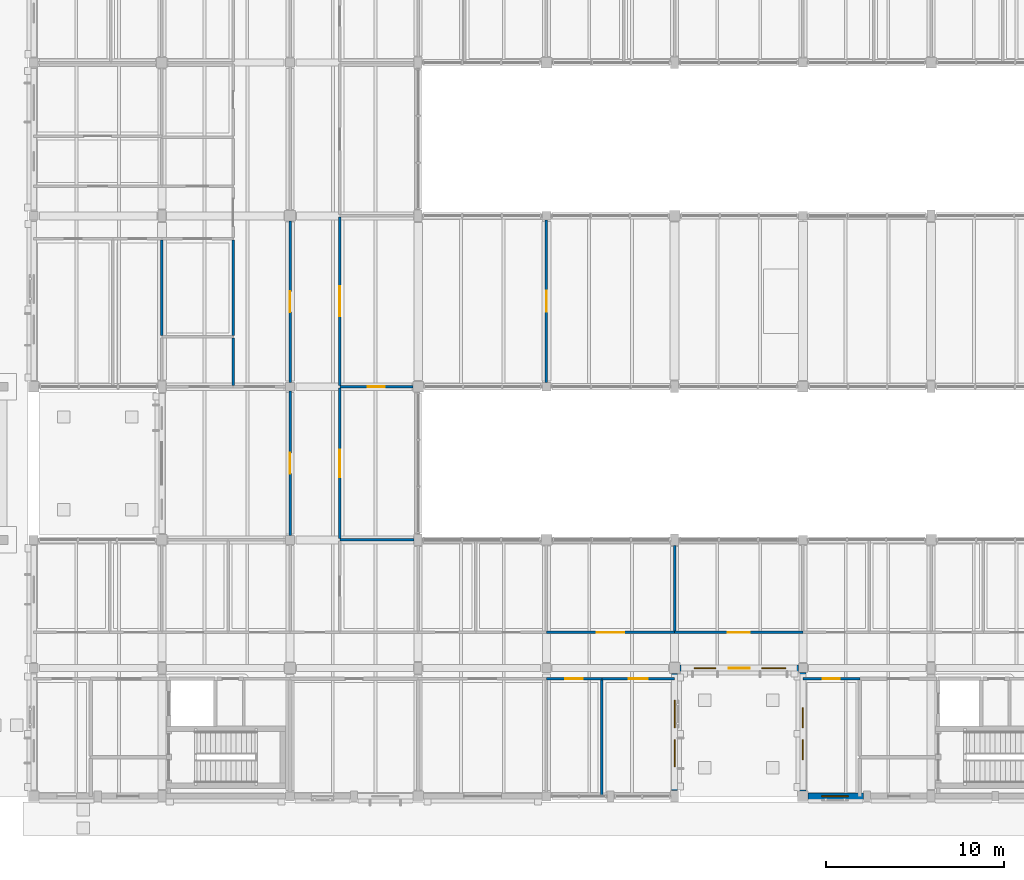
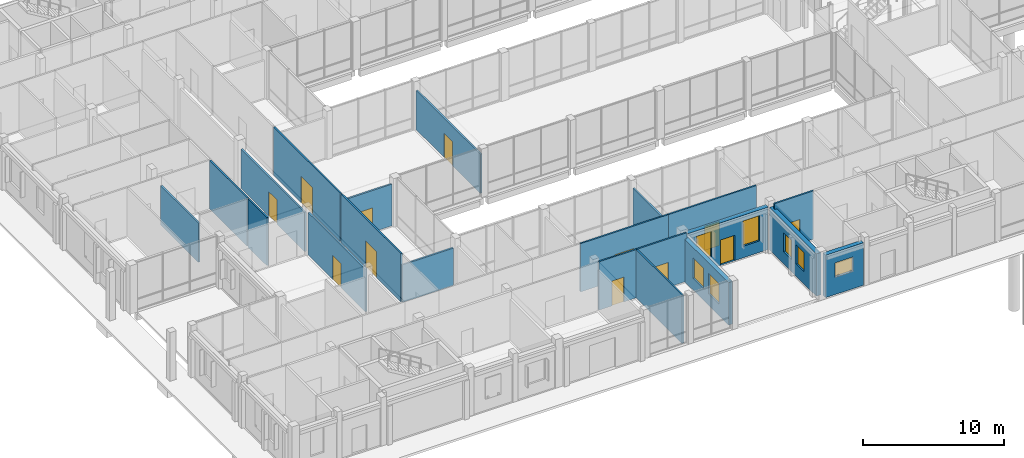
# One storey, part 71 of 104: 21 walls, 12 doors, 7 windows, 19 openings.
"""IFC4 building model written with IfcOpenShell, lengths in metres."""

from ifc_helpers import new_model, si_unit, direction, frame, frame_2d, origin, place, context, subcontext, project, spatial, rectangle, extrude, material, layer, layer_set, type_object, element, fill, save


model = new_model("IFC4")

# Units and contexts
model_context = context("Model", 3, precision=1e-05, world=origin(), true_north=direction((0.0, 1.0)))
body_context = subcontext(model_context, "Body", "Model", "MODEL_VIEW")
ifc_project = project(units=[si_unit("LENGTHUNIT", "METRE"), si_unit("AREAUNIT", "SQUARE_METRE"), si_unit("VOLUMEUNIT", "CUBIC_METRE"), si_unit("PLANEANGLEUNIT", "RADIAN"), si_unit("MASSUNIT", "GRAM", prefix="KILO")], contexts=[model_context])

# Site, building, storey
site_placement = place(None, origin())
site = spatial("IfcSite", under=ifc_project, at=site_placement, CompositionType="ELEMENT")
building_placement = place(site_placement, origin())
building = spatial("IfcBuilding", under=site, at=building_placement, Name="Hawrajan Terrace Health Centre", CompositionType="ELEMENT")
storey_placement = place(building_placement, origin())
storey = spatial("IfcBuildingStorey", under=building, at=storey_placement, Name="L00", CompositionType="ELEMENT", Elevation=0.0)

# Walls
ifc_material_1 = material(Name="Gypsum board on acoustic stud framing")
ifc_layer_1 = layer(ifc_material_1, 0.139892578125)
ifc_layer_set_1 = layer_set([ifc_layer_1], Name="Gypsum board on acoustic stud framing")
wall_type_1 = type_object("IfcWallType", Name="ClinicalAcousticWall_140", PredefinedType="PARTITIONING", material=ifc_layer_set_1)
wall_1_placement = place(storey_placement, frame((11.800048828125, 30.074951171875, 0.0), z_axis=(0.0, 0.0, 1.0), x_axis=(0.0, 1.0, 0.0)))
element("IfcWall", 1, at=wall_1_placement, inside=storey, type_object=wall_type_1, Name="Interior wall IW-L00-0226", PredefinedType="PARTITIONING", context=body_context, shape_type="SweptSolid", body=[
    extrude(rectangle(XDim=5.35498046875, YDim=0.139892578125, at=frame_2d((2.677490234375, 0.0))), origin(), (0.0, 0.0, 1.0), 3.39990234375),
])
wall_2_placement = place(storey_placement, frame((15.800048828125, 27.27001953125, 0.0), z_axis=(0.0, 0.0, 1.0), x_axis=(0.0, 1.0, 0.0)))
element("IfcWall", 2, at=wall_2_placement, inside=storey, type_object=wall_type_1, Name="Interior wall IW-L00-0241", PredefinedType="PARTITIONING", context=body_context, shape_type="SweptSolid", body=[
    extrude(rectangle(XDim=2.6650390625, YDim=0.139892578125, at=frame_2d((1.33251953125, 0.0))), origin(), (0.0, 0.0, 1.0), 4.179931640625),
])
wall_3_placement = place(storey_placement, frame((15.800048828125, 30.074951171875, 0.0), z_axis=(0.0, 0.0, 1.0), x_axis=(0.0, 1.0, 0.0)))
element("IfcWall", 3, at=wall_3_placement, inside=storey, type_object=wall_type_1, Name="Interior wall IW-L00-0243", PredefinedType="PARTITIONING", context=body_context, shape_type="SweptSolid", body=[
    extrude(rectangle(XDim=5.35498046875, YDim=0.139892578125, at=frame_2d((2.677490234375, 0.0))), origin(), (0.0, 0.0, 1.0), 4.179931640625),
])

# Wall, opening, door
wall_4_placement = place(storey_placement, frame((19.0, 18.85009765625, 0.0), z_axis=(0.0, 0.0, 1.0), x_axis=(0.0, 1.0, 0.0)))
wall_4 = element("IfcWall", 4, at=wall_4_placement, inside=storey, type_object=wall_type_1, Name="Interior wall IW-L00-0252", PredefinedType="PARTITIONING", context=body_context, shape_type="SweptSolid", body=[
    extrude(rectangle(XDim=8.099853515625, YDim=0.139892578125, at=frame_2d((4.0498046875, 0.0))), origin(), (0.0, 0.0, 1.0), 3.679931640625),
])
opening_1_placement = place(wall_4_placement, frame((3.469970703125, 0.0, 0.0)))
opening_1 = element("IfcOpeningElement", 5, at=opening_1_placement, cuts=wall_4, Name="Opening D-L00-126", PredefinedType="OPENING", context=body_context, shape_type="SweptSolid", body=[
    extrude(rectangle(XDim=1.159912109375, YDim=2.10009765625, at=frame_2d((0.580078125, 1.050048828125))), frame((0.0, 0.079833984375, 0.0), z_axis=(0.0, -1.0, 0.0), x_axis=(1.0, 0.0, 0.0)), (0.0, 0.0, 1.0), 0.159912109375),
])
ifc_material_2 = material(Name="Hardwood acoustic clinical door leaf and frame", Category="wood")
door_type_1 = type_object("IfcDoorType", Name="ConsultDoor_1160x2100", OperationType="NOTDEFINED", PredefinedType="DOOR", material=ifc_material_2)
door_1_placement = place(opening_1_placement, origin())
door_1 = element("IfcDoor", 6, at=door_1_placement, inside=storey, type_object=door_type_1, Name="Interior door D-L00-126", OperationType="SINGLE_SWING_RIGHT", OverallHeight=2.10009765625, OverallWidth=1.159912109375, PredefinedType="DOOR", context=body_context, shape_type="SweptSolid", body=[
    extrude(rectangle(XDim=1.159912109375, YDim=2.10009765625, at=frame_2d((0.580078125, 1.050048828125))), frame((0.0, 0.02490234375, 0.0), z_axis=(0.0, -1.0, 0.0), x_axis=(1.0, 0.0, 0.0)), (0.0, 0.0, 1.0), 0.050048828125),
])
fill(opening_1, door_1)

wall_5_placement = place(storey_placement, frame((19.0, 27.449951171875, 0.0), z_axis=(0.0, 0.0, 1.0), x_axis=(0.0, 1.0, 0.0)))
wall_5 = element("IfcWall", 7, at=wall_5_placement, inside=storey, type_object=wall_type_1, Name="Interior wall IW-L00-0253", PredefinedType="PARTITIONING", context=body_context, shape_type="SweptSolid", body=[
    extrude(rectangle(XDim=9.050048828125, YDim=0.139892578125, at=frame_2d((4.52490234375, 0.0))), origin(), (0.0, 0.0, 1.0), 3.39990234375),
])
opening_2_placement = place(wall_5_placement, frame((3.945068359375, 0.0, 0.0)))
opening_2 = element("IfcOpeningElement", 8, at=opening_2_placement, cuts=wall_5, Name="Opening D-L00-113", PredefinedType="OPENING", context=body_context, shape_type="SweptSolid", body=[
    extrude(rectangle(XDim=1.159912109375, YDim=2.10009765625, at=frame_2d((0.580078125, 1.050048828125))), frame((0.0, 0.079833984375, 0.0), z_axis=(0.0, -1.0, 0.0), x_axis=(1.0, 0.0, 0.0)), (0.0, 0.0, 1.0), 0.159912109375),
])
door_2_placement = place(opening_2_placement, origin())
door_2 = element("IfcDoor", 9, at=door_2_placement, inside=storey, type_object=door_type_1, Name="Interior door D-L00-113", OperationType="SINGLE_SWING_LEFT", OverallHeight=2.10009765625, OverallWidth=1.159912109375, PredefinedType="DOOR", context=body_context, shape_type="SweptSolid", body=[
    extrude(rectangle(XDim=1.159912109375, YDim=2.10009765625, at=frame_2d((0.580078125, 1.050048828125))), frame((0.0, 0.02490234375, 0.0), z_axis=(0.0, -1.0, 0.0), x_axis=(1.0, 0.0, 0.0)), (0.0, 0.0, 1.0), 0.050048828125),
])
fill(opening_2, door_2)

wall_6_placement = place(storey_placement, frame((21.800048828125, 18.669921875, 0.0), z_axis=(0.0, 0.0, 1.0), x_axis=(0.0, 1.0, 0.0)))
wall_6 = element("IfcWall", 10, at=wall_6_placement, inside=storey, type_object=wall_type_1, Name="Interior wall IW-L00-0260", PredefinedType="PARTITIONING", context=body_context, shape_type="SweptSolid", body=[
    extrude(rectangle(XDim=8.4599609375, YDim=0.139892578125, at=frame_2d((4.22998046875, 0.0))), origin(), (0.0, 0.0, 1.0), 4.179931640625),
])
opening_3_placement = place(wall_6_placement, frame((3.4599609375, 0.0, 0.0)))
opening_3 = element("IfcOpeningElement", 11, at=opening_3_placement, cuts=wall_6, Name="Opening D-L00-128", PredefinedType="OPENING", context=body_context, shape_type="SweptSolid", body=[
    extrude(rectangle(XDim=1.5400390625, YDim=2.25, at=frame_2d((0.77001953125, 1.125))), frame((0.0, 0.079833984375, 0.0), z_axis=(0.0, -1.0, 0.0), x_axis=(1.0, 0.0, 0.0)), (0.0, 0.0, 1.0), 0.159912109375),
])
door_type_2 = type_object("IfcDoorType", Name="RecoveryBayDoor_1540x2250", OperationType="DOUBLE_DOOR_SINGLE_SWING", PredefinedType="DOOR", material=ifc_material_2)
door_3_placement = place(opening_3_placement, origin())
door_3 = element("IfcDoor", 12, at=door_3_placement, inside=storey, type_object=door_type_2, Name="Interior door D-L00-128", OperationType="DOUBLE_DOOR_SINGLE_SWING", OverallHeight=2.25, OverallWidth=1.5400390625, PredefinedType="DOOR", context=body_context, shape_type="SweptSolid", body=[
    extrude(rectangle(XDim=1.5400390625, YDim=2.25, at=frame_2d((0.77001953125, 1.125))), frame((0.0, 0.02490234375, 0.0), z_axis=(0.0, -1.0, 0.0), x_axis=(1.0, 0.0, 0.0)), (0.0, 0.0, 1.0), 0.050048828125),
])
fill(opening_3, door_3)

# Wall
wall_7_placement = place(storey_placement, frame((21.800048828125, 18.60009765625, 0.0), z_axis=(0.0, 0.0, 1.0), x_axis=(1.0, 0.0, 0.0)))
element("IfcWall", 13, at=wall_7_placement, inside=storey, type_object=wall_type_1, Name="Interior wall IW-L00-0261", PredefinedType="PARTITIONING", context=body_context, shape_type="SweptSolid", body=[
    extrude(rectangle(XDim=4.175048828125, YDim=0.139892578125, at=frame_2d((2.08740234375, 0.0))), origin(), (0.0, 0.0, 1.0), 3.25),
])

# Wall, opening, door
wall_8_placement = place(storey_placement, frame((21.800048828125, 27.27001953125, 0.0), z_axis=(0.0, 0.0, 1.0), x_axis=(0.0, 1.0, 0.0)))
wall_8 = element("IfcWall", 14, at=wall_8_placement, inside=storey, type_object=wall_type_1, Name="Interior wall IW-L00-0262", PredefinedType="PARTITIONING", context=body_context, shape_type="SweptSolid", body=[
    extrude(rectangle(XDim=9.4599609375, YDim=0.139892578125, at=frame_2d((4.72998046875, 0.0))), origin(), (0.0, 0.0, 1.0), 4.179931640625),
])
opening_4_placement = place(wall_8_placement, frame((3.89990234375, 0.0, 0.0)))
opening_4 = element("IfcOpeningElement", 15, at=opening_4_placement, cuts=wall_8, Name="Opening D-L00-127", PredefinedType="OPENING", context=body_context, shape_type="SweptSolid", body=[
    extrude(rectangle(XDim=1.659912109375, YDim=2.300048828125, at=frame_2d((0.830078125, 1.14990234375))), frame((0.0, 0.079833984375, 0.0), z_axis=(0.0, -1.0, 0.0), x_axis=(1.0, 0.0, 0.0)), (0.0, 0.0, 1.0), 0.159912109375),
])
door_type_3 = type_object("IfcDoorType", Name="RehabGymDoor_1660x2300", OperationType="DOUBLE_DOOR_SINGLE_SWING", PredefinedType="DOOR", material=ifc_material_2)
door_4_placement = place(opening_4_placement, origin())
door_4 = element("IfcDoor", 16, at=door_4_placement, inside=storey, type_object=door_type_3, Name="Interior door D-L00-127", OperationType="DOUBLE_DOOR_SINGLE_SWING", OverallHeight=2.300048828125, OverallWidth=1.659912109375, PredefinedType="DOOR", context=body_context, shape_type="SweptSolid", body=[
    extrude(rectangle(XDim=1.659912109375, YDim=2.300048828125, at=frame_2d((0.830078125, 1.14990234375))), frame((0.0, 0.02490234375, 0.0), z_axis=(0.0, -1.0, 0.0), x_axis=(1.0, 0.0, 0.0)), (0.0, 0.0, 1.0), 0.050048828125),
])
fill(opening_4, door_4)

wall_9_placement = place(storey_placement, frame((21.800048828125, 27.199951171875, 0.0), z_axis=(0.0, 0.0, 1.0), x_axis=(1.0, 0.0, 0.0)))
wall_9 = element("IfcWall", 17, at=wall_9_placement, inside=storey, type_object=wall_type_1, Name="Interior wall IW-L00-0263", PredefinedType="PARTITIONING", context=body_context, shape_type="SweptSolid", body=[
    extrude(rectangle(XDim=4.099853515625, YDim=0.139892578125, at=frame_2d((2.0498046875, 0.0))), origin(), (0.0, 0.0, 1.0), 3.60009765625),
])
opening_5_placement = place(wall_9_placement, frame((1.574951171875, 0.0, 0.0)))
opening_5 = element("IfcOpeningElement", 18, at=opening_5_placement, cuts=wall_9, Name="Opening D-L00-137", PredefinedType="OPENING", context=body_context, shape_type="SweptSolid", body=[
    extrude(rectangle(XDim=0.949951171875, YDim=2.10009765625, at=frame_2d((0.47509765625, 1.050048828125))), frame((0.0, 0.079833984375, 0.0), z_axis=(0.0, -1.0, 0.0), x_axis=(1.0, 0.0, 0.0)), (0.0, 0.0, 1.0), 0.159912109375),
])
door_type_4 = type_object("IfcDoorType", Name="AccessibleWCDoor_950x2100", OperationType="NOTDEFINED", PredefinedType="DOOR", material=ifc_material_2)
door_5_placement = place(opening_5_placement, origin())
door_5 = element("IfcDoor", 19, at=door_5_placement, inside=storey, type_object=door_type_4, Name="Interior door D-L00-137", OperationType="SINGLE_SWING_LEFT", OverallHeight=2.10009765625, OverallWidth=0.949951171875, PredefinedType="DOOR", context=body_context, shape_type="SweptSolid", body=[
    extrude(rectangle(XDim=0.949951171875, YDim=2.10009765625, at=frame_2d((0.47509765625, 1.050048828125))), frame((0.0, 0.02490234375, 0.0), z_axis=(0.0, -1.0, 0.0), x_axis=(1.0, 0.0, 0.0)), (0.0, 0.0, 1.0), 0.050048828125),
])
fill(opening_5, door_5)

wall_10_placement = place(storey_placement, frame((33.39990234375, 10.800048828125, 0.0), z_axis=(0.0, 0.0, 1.0), x_axis=(1.0, 0.0, 0.0)))
wall_10 = element("IfcWall", 20, at=wall_10_placement, inside=storey, type_object=wall_type_1, Name="Interior wall IW-L00-0285", PredefinedType="PARTITIONING", context=body_context, shape_type="SweptSolid", body=[
    extrude(rectangle(XDim=3.110107421875, YDim=0.139892578125, at=frame_2d((1.55517578125, 0.0))), origin(), (0.0, 0.0, 1.0), 4.179931640625),
])
opening_6_placement = place(wall_10_placement, frame((1.06494140625, 0.0, 0.0)))
opening_6 = element("IfcOpeningElement", 21, at=opening_6_placement, cuts=wall_10, Name="Opening D-L00-214", PredefinedType="OPENING", context=body_context, shape_type="SweptSolid", body=[
    extrude(rectangle(XDim=0.97998046875, YDim=2.14990234375, at=frame_2d((0.489990234375, 1.074951171875))), frame((0.0, 0.079833984375, 0.0), z_axis=(0.0, -1.0, 0.0), x_axis=(1.0, 0.0, 0.0)), (0.0, 0.0, 1.0), 0.159912109375),
])
door_type_5 = type_object("IfcDoorType", Name="ConsultDoor_980x2150", OperationType="NOTDEFINED", PredefinedType="DOOR", material=ifc_material_2)
door_6_placement = place(opening_6_placement, origin())
door_6 = element("IfcDoor", 22, at=door_6_placement, inside=storey, type_object=door_type_5, Name="Interior door D-L00-214", OperationType="SINGLE_SWING_RIGHT", OverallHeight=2.14990234375, OverallWidth=0.97998046875, PredefinedType="DOOR", context=body_context, shape_type="SweptSolid", body=[
    extrude(rectangle(XDim=0.97998046875, YDim=2.14990234375, at=frame_2d((0.489990234375, 1.074951171875))), frame((0.0, 0.02490234375, 0.0), z_axis=(0.0, -1.0, 0.0), x_axis=(1.0, 0.0, 0.0)), (0.0, 0.0, 1.0), 0.050048828125),
])
fill(opening_6, door_6)

wall_11_placement = place(storey_placement, frame((33.39990234375, 13.39990234375, 0.0), z_axis=(0.0, 0.0, 1.0), x_axis=(1.0, 0.0, 0.0)))
wall_11 = element("IfcWall", 23, at=wall_11_placement, inside=storey, type_object=wall_type_1, Name="Interior wall IW-L00-0287", PredefinedType="PARTITIONING", context=body_context, shape_type="SweptSolid", body=[
    extrude(rectangle(XDim=7.2001953125, YDim=0.139892578125, at=frame_2d((3.60009765625, 0.0))), origin(), (0.0, 0.0, 1.0), 4.179931640625),
])
opening_7_placement = place(wall_11_placement, frame((2.830078125, 0.0, 0.0)))
opening_7 = element("IfcOpeningElement", 24, at=opening_7_placement, cuts=wall_11, Name="Opening D-L00-216", PredefinedType="OPENING", context=body_context, shape_type="SweptSolid", body=[
    extrude(rectangle(XDim=1.5400390625, YDim=2.25, at=frame_2d((0.77001953125, 1.125))), frame((0.0, 0.079833984375, 0.0), z_axis=(0.0, -1.0, 0.0), x_axis=(1.0, 0.0, 0.0)), (0.0, 0.0, 1.0), 0.159912109375),
])
door_7_placement = place(opening_7_placement, origin())
door_7 = element("IfcDoor", 25, at=door_7_placement, inside=storey, type_object=door_type_2, Name="Interior door D-L00-216", OperationType="DOUBLE_DOOR_SINGLE_SWING", OverallHeight=2.25, OverallWidth=1.5400390625, PredefinedType="DOOR", context=body_context, shape_type="SweptSolid", body=[
    extrude(rectangle(XDim=1.5400390625, YDim=2.25, at=frame_2d((0.77001953125, 1.125))), frame((0.0, 0.02490234375, 0.0), z_axis=(0.0, -1.0, 0.0), x_axis=(1.0, 0.0, 0.0)), (0.0, 0.0, 1.0), 0.050048828125),
])
fill(opening_7, door_7)

wall_12_placement = place(storey_placement, frame((33.39990234375, 27.449951171875, 0.0), z_axis=(0.0, 0.0, 1.0), x_axis=(0.0, 1.0, 0.0)))
wall_12 = element("IfcWall", 26, at=wall_12_placement, inside=storey, type_object=wall_type_1, Name="Interior wall IW-L00-0288", PredefinedType="PARTITIONING", context=body_context, shape_type="SweptSolid", body=[
    extrude(rectangle(XDim=9.10009765625, YDim=0.139892578125, at=frame_2d((4.550048828125, 0.0))), origin(), (0.0, 0.0, 1.0), 3.39990234375),
])
opening_8_placement = place(wall_12_placement, frame((3.969970703125, 0.0, 0.0)))
opening_8 = element("IfcOpeningElement", 27, at=opening_8_placement, cuts=wall_12, Name="Opening D-L00-136", PredefinedType="OPENING", context=body_context, shape_type="SweptSolid", body=[
    extrude(rectangle(XDim=1.159912109375, YDim=2.10009765625, at=frame_2d((0.580078125, 1.050048828125))), frame((0.0, 0.079833984375, 0.0), z_axis=(0.0, -1.0, 0.0), x_axis=(1.0, 0.0, 0.0)), (0.0, 0.0, 1.0), 0.159912109375),
])
door_8_placement = place(opening_8_placement, origin())
door_8 = element("IfcDoor", 28, at=door_8_placement, inside=storey, type_object=door_type_1, Name="Interior door D-L00-136", OperationType="SINGLE_SWING_RIGHT", OverallHeight=2.10009765625, OverallWidth=1.159912109375, PredefinedType="DOOR", context=body_context, shape_type="SweptSolid", body=[
    extrude(rectangle(XDim=1.159912109375, YDim=2.10009765625, at=frame_2d((0.580078125, 1.050048828125))), frame((0.0, 0.02490234375, 0.0), z_axis=(0.0, -1.0, 0.0), x_axis=(1.0, 0.0, 0.0)), (0.0, 0.0, 1.0), 0.050048828125),
])
fill(opening_8, door_8)

# Wall
wall_13_placement = place(storey_placement, frame((36.510009765625, 4.199951171875, 0.0), z_axis=(0.0, 0.0, 1.0), x_axis=(0.0, 1.0, 0.0)))
element("IfcWall", 29, at=wall_13_placement, inside=storey, type_object=wall_type_1, Name="Interior wall IW-L00-0293", PredefinedType="PARTITIONING", context=body_context, shape_type="SweptSolid", body=[
    extrude(rectangle(XDim=6.530029296875, YDim=0.139892578125, at=frame_2d((3.26513671875, 0.0))), origin(), (0.0, 0.0, 1.0), 4.179931640625),
])

# Wall, opening, door
wall_14_placement = place(storey_placement, frame((36.510009765625, 10.800048828125, 0.0), z_axis=(0.0, 0.0, 1.0), x_axis=(1.0, 0.0, 0.0)))
wall_14 = element("IfcWall", 30, at=wall_14_placement, inside=storey, type_object=wall_type_1, Name="Interior wall IW-L00-0294", PredefinedType="PARTITIONING", context=body_context, shape_type="SweptSolid", body=[
    extrude(rectangle(XDim=4.090087890625, YDim=0.139892578125, at=frame_2d((2.044921875, 0.0))), origin(), (0.0, 0.0, 1.0), 4.179931640625),
])
opening_9_placement = place(wall_14_placement, frame((1.514892578125, 0.0, 0.0)))
opening_9 = element("IfcOpeningElement", 31, at=opening_9_placement, cuts=wall_14, Name="Opening D-L00-215", PredefinedType="OPENING", context=body_context, shape_type="SweptSolid", body=[
    extrude(rectangle(XDim=1.06005859375, YDim=2.14990234375, at=frame_2d((0.530029296875, 1.074951171875))), frame((0.0, 0.079833984375, 0.0), z_axis=(0.0, -1.0, 0.0), x_axis=(1.0, 0.0, 0.0)), (0.0, 0.0, 1.0), 0.159912109375),
])
door_type_6 = type_object("IfcDoorType", Name="MentalHealthDoor_1060x2150", OperationType="NOTDEFINED", PredefinedType="DOOR", material=ifc_material_2)
door_9_placement = place(opening_9_placement, origin())
door_9 = element("IfcDoor", 32, at=door_9_placement, inside=storey, type_object=door_type_6, Name="Interior door D-L00-215", OperationType="SINGLE_SWING_LEFT", OverallHeight=2.14990234375, OverallWidth=1.06005859375, PredefinedType="DOOR", context=body_context, shape_type="SweptSolid", body=[
    extrude(rectangle(XDim=1.06005859375, YDim=2.14990234375, at=frame_2d((0.530029296875, 1.074951171875))), frame((0.0, 0.02490234375, 0.0), z_axis=(0.0, -1.0, 0.0), x_axis=(1.0, 0.0, 0.0)), (0.0, 0.0, 1.0), 0.050048828125),
])
fill(opening_9, door_9)

# Wall
wall_15_placement = place(storey_placement, frame((40.60009765625, 13.469970703125, 0.0), z_axis=(0.0, 0.0, 1.0), x_axis=(0.0, 1.0, 0.0)))
element("IfcWall", 33, at=wall_15_placement, inside=storey, type_object=wall_type_1, Name="Interior wall IW-L00-0297", PredefinedType="PARTITIONING", context=body_context, shape_type="SweptSolid", body=[
    extrude(rectangle(XDim=4.804931640625, YDim=0.139892578125, at=frame_2d((2.40234375, 0.0))), origin(), (0.0, 0.0, 1.0), 3.5),
])

# Wall, opening, door
wall_16_placement = place(storey_placement, frame((40.60009765625, 13.39990234375, 0.0), z_axis=(0.0, 0.0, 1.0), x_axis=(1.0, 0.0, 0.0)))
wall_16 = element("IfcWall", 34, at=wall_16_placement, inside=storey, type_object=wall_type_1, Name="Interior wall IW-L00-0298", PredefinedType="PARTITIONING", context=body_context, shape_type="SweptSolid", body=[
    extrude(rectangle(XDim=7.199951171875, YDim=0.139892578125, at=frame_2d((3.60009765625, 0.0))), origin(), (0.0, 0.0, 1.0), 4.179931640625),
])
opening_10_placement = place(wall_16_placement, frame((2.989990234375, 0.0, 0.0)))
opening_10 = element("IfcOpeningElement", 35, at=opening_10_placement, cuts=wall_16, Name="Opening D-L00-217", PredefinedType="OPENING", context=body_context, shape_type="SweptSolid", body=[
    extrude(rectangle(XDim=1.219970703125, YDim=2.10009765625, at=frame_2d((0.60986328125, 1.050048828125))), frame((0.0, 0.079833984375, 0.0), z_axis=(0.0, -1.0, 0.0), x_axis=(1.0, 0.0, 0.0)), (0.0, 0.0, 1.0), 0.159912109375),
])
door_type_7 = type_object("IfcDoorType", Name="ConsultDoor_1220x2100", OperationType="NOTDEFINED", PredefinedType="DOOR", material=ifc_material_2)
door_10_placement = place(opening_10_placement, origin())
door_10 = element("IfcDoor", 36, at=door_10_placement, inside=storey, type_object=door_type_7, Name="Interior door D-L00-217", OperationType="SINGLE_SWING_LEFT", OverallHeight=2.10009765625, OverallWidth=1.219970703125, PredefinedType="DOOR", context=body_context, shape_type="SweptSolid", body=[
    extrude(rectangle(XDim=1.219970703125, YDim=2.10009765625, at=frame_2d((0.60986328125, 1.050048828125))), frame((0.0, 0.02490234375, 0.0), z_axis=(0.0, -1.0, 0.0), x_axis=(1.0, 0.0, 0.0)), (0.0, 0.0, 1.0), 0.050048828125),
])
fill(opening_10, door_10)

wall_17_placement = place(storey_placement, frame((47.800048828125, 10.800048828125, 0.0), z_axis=(0.0, 0.0, 1.0), x_axis=(1.0, 0.0, 0.0)))
wall_17 = element("IfcWall", 37, at=wall_17_placement, inside=storey, type_object=wall_type_1, Name="Interior wall IW-L00-0307", PredefinedType="PARTITIONING", context=body_context, shape_type="SweptSolid", body=[
    extrude(rectangle(XDim=3.199951171875, YDim=0.139892578125, at=frame_2d((1.60009765625, 0.0))), origin(), (0.0, 0.0, 1.0), 4.179931640625),
])
opening_11_placement = place(wall_17_placement, frame((1.125, 0.0, 0.0)))
opening_11 = element("IfcOpeningElement", 38, at=opening_11_placement, cuts=wall_17, Name="Opening D-L00-183", PredefinedType="OPENING", context=body_context, shape_type="SweptSolid", body=[
    extrude(rectangle(XDim=0.949951171875, YDim=2.10009765625, at=frame_2d((0.47509765625, 1.050048828125))), frame((0.0, 0.079833984375, 0.0), z_axis=(0.0, -1.0, 0.0), x_axis=(1.0, 0.0, 0.0)), (0.0, 0.0, 1.0), 0.159912109375),
])
door_11_placement = place(opening_11_placement, origin())
door_11 = element("IfcDoor", 39, at=door_11_placement, inside=storey, type_object=door_type_4, Name="Interior door D-L00-183", OperationType="SINGLE_SWING_LEFT", OverallHeight=2.10009765625, OverallWidth=0.949951171875, PredefinedType="DOOR", context=body_context, shape_type="SweptSolid", body=[
    extrude(rectangle(XDim=0.949951171875, YDim=2.10009765625, at=frame_2d((0.47509765625, 1.050048828125))), frame((0.0, 0.02490234375, 0.0), z_axis=(0.0, -1.0, 0.0), x_axis=(1.0, 0.0, 0.0)), (0.0, 0.0, 1.0), 0.050048828125),
])
fill(opening_11, door_11)

# Wall, openings, windows
ifc_material_3 = material(Name="Precast concrete C40/50", Category="concrete")
ifc_layer_2 = layer(ifc_material_3, 0.340087890625)
ifc_layer_set_2 = layer_set([ifc_layer_2], Name="Precast concrete C40/50")
wall_type_2 = type_object("IfcWallType", Name="CoralAshlarWall_340", PredefinedType="SOLIDWALL", material=ifc_layer_set_2)
wall_18_placement = place(storey_placement, frame((40.60009765625, 4.52490234375, 0.0), z_axis=(0.0, 0.0, 1.0), x_axis=(0.0, 1.0, 0.0)))
wall_18 = element("IfcWall", 40, at=wall_18_placement, inside=storey, type_object=wall_type_2, Name="Exterior wall EW-L00-V05-00-1", PredefinedType="SOLIDWALL", context=body_context, shape_type="SweptSolid", body=[
    extrude(rectangle(XDim=6.5751953125, YDim=0.340087890625, at=frame_2d((3.28759765625, 0.0))), origin(), (0.0, 0.0, 1.0), 3.679931640625),
])
opening_12_placement = place(wall_18_placement, frame((1.33740234375, 0.0, 1.0)))
opening_12 = element("IfcOpeningElement", 41, at=opening_12_placement, cuts=wall_18, Name="Opening W-L00-020", PredefinedType="OPENING", context=body_context, shape_type="SweptSolid", body=[
    extrude(rectangle(XDim=1.52001953125, YDim=1.800048828125, at=frame_2d((0.760009765625, 0.89990234375))), frame((0.0, 0.179931640625, 0.0), z_axis=(0.0, -1.0, 0.0), x_axis=(1.0, 0.0, 0.0)), (0.0, 0.0, 1.0), 0.360107421875),
])
opening_13_placement = place(wall_18_placement, frame((3.53759765625, 0.0, 1.0)))
opening_13 = element("IfcOpeningElement", 42, at=opening_13_placement, cuts=wall_18, Name="Opening W-L00-021", PredefinedType="OPENING", context=body_context, shape_type="SweptSolid", body=[
    extrude(rectangle(XDim=1.52001953125, YDim=1.800048828125, at=frame_2d((0.760009765625, 0.89990234375))), frame((0.0, 0.179931640625, 0.0), z_axis=(0.0, -1.0, 0.0), x_axis=(1.0, 0.0, 0.0)), (0.0, 0.0, 1.0), 0.360107421875),
])
ifc_material_4 = material(Name="Anodized bronze frame with double low-E glazing", Category="glass")
window_type_1 = type_object("IfcWindowType", Name="FacadeWindow_1520x1800", PartitioningType="DOUBLE_PANEL_VERTICAL", PredefinedType="WINDOW", material=ifc_material_4)
window_1_placement = place(opening_12_placement, origin())
window_1 = element("IfcWindow", 43, at=window_1_placement, inside=storey, type_object=window_type_1, Name="Window W-L00-020", OverallHeight=1.800048828125, OverallWidth=1.52001953125, PartitioningType="DOUBLE_PANEL_VERTICAL", PredefinedType="WINDOW", context=body_context, shape_type="SweptSolid", body=[
    extrude(rectangle(XDim=1.52001953125, YDim=1.800048828125, at=frame_2d((0.760009765625, 0.89990234375))), frame((0.0, 0.030029296875, 0.0), z_axis=(0.0, -1.0, 0.0), x_axis=(1.0, 0.0, 0.0)), (0.0, 0.0, 1.0), 0.06005859375),
])
fill(opening_12, window_1)
window_2_placement = place(opening_13_placement, origin())
window_2 = element("IfcWindow", 44, at=window_2_placement, inside=storey, type_object=window_type_1, Name="Window W-L00-021", OverallHeight=1.800048828125, OverallWidth=1.52001953125, PartitioningType="DOUBLE_PANEL_VERTICAL", PredefinedType="WINDOW", context=body_context, shape_type="SweptSolid", body=[
    extrude(rectangle(XDim=1.52001953125, YDim=1.800048828125, at=frame_2d((0.760009765625, 0.89990234375))), frame((0.0, 0.030029296875, 0.0), z_axis=(0.0, -1.0, 0.0), x_axis=(1.0, 0.0, 0.0)), (0.0, 0.0, 1.0), 0.06005859375),
])
fill(opening_13, window_2)

# Wall, openings, windows, door
ifc_layer_3 = layer(ifc_material_3, 0.360107421875)
ifc_layer_set_3 = layer_set([ifc_layer_3], Name="Precast concrete C40/50")
wall_type_3 = type_object("IfcWallType", Name="CoralPodiumWall_360", PredefinedType="SOLIDWALL", material=ifc_layer_set_3)
wall_19_placement = place(storey_placement, frame((40.89990234375, 11.39990234375, 0.0), z_axis=(0.0, 0.0, 1.0), x_axis=(1.0, 0.0, 0.0)))
wall_19 = element("IfcWall", 45, at=wall_19_placement, inside=storey, type_object=wall_type_3, Name="Exterior wall EW-L00-H05-01-1", PredefinedType="SOLIDWALL", context=body_context, shape_type="SweptSolid", body=[
    extrude(rectangle(XDim=6.650146484375, YDim=0.360107421875, at=frame_2d((3.3251953125, 0.0))), origin(), (0.0, 0.0, 1.0), 3.679931640625),
])
opening_14_placement = place(wall_19_placement, frame((2.735107421875, 0.0, 0.0)))
opening_14 = element("IfcOpeningElement", 46, at=opening_14_placement, cuts=wall_19, Name="Opening D-L00-E006", PredefinedType="OPENING", context=body_context, shape_type="SweptSolid", body=[
    extrude(rectangle(XDim=1.179931640625, YDim=2.199951171875, at=frame_2d((0.58984375, 1.10009765625))), frame((0.0, 0.18994140625, 0.0), z_axis=(0.0, -1.0, 0.0), x_axis=(1.0, 0.0, 0.0)), (0.0, 0.0, 1.0), 0.380126953125),
])
opening_15_placement = place(wall_19_placement, frame((0.78759765625, 0.0, 1.0)))
opening_15 = element("IfcOpeningElement", 47, at=opening_15_placement, cuts=wall_19, Name="Opening W-L00-022", PredefinedType="OPENING", context=body_context, shape_type="SweptSolid", body=[
    extrude(rectangle(XDim=1.219970703125, YDim=2.199951171875, at=frame_2d((0.60986328125, 1.10009765625))), frame((0.0, 0.18994140625, 0.0), z_axis=(0.0, -1.0, 0.0), x_axis=(1.0, 0.0, 0.0)), (0.0, 0.0, 1.0), 0.380126953125),
])
opening_16_placement = place(wall_19_placement, frame((4.577392578125, 0.0, 1.0)))
opening_16 = element("IfcOpeningElement", 48, at=opening_16_placement, cuts=wall_19, Name="Opening W-L00-023", PredefinedType="OPENING", context=body_context, shape_type="SweptSolid", body=[
    extrude(rectangle(XDim=1.35009765625, YDim=2.199951171875, at=frame_2d((0.675048828125, 1.10009765625))), frame((0.0, 0.18994140625, 0.0), z_axis=(0.0, -1.0, 0.0), x_axis=(1.0, 0.0, 0.0)), (0.0, 0.0, 1.0), 0.380126953125),
])
window_type_2 = type_object("IfcWindowType", Name="FacadeWindow_1220x2200", PartitioningType="SINGLE_PANEL", PredefinedType="WINDOW", material=ifc_material_4)
window_3_placement = place(opening_15_placement, origin())
window_3 = element("IfcWindow", 49, at=window_3_placement, inside=storey, type_object=window_type_2, Name="Window W-L00-022", OverallHeight=2.199951171875, OverallWidth=1.219970703125, PartitioningType="SINGLE_PANEL", PredefinedType="WINDOW", context=body_context, shape_type="SweptSolid", body=[
    extrude(rectangle(XDim=1.219970703125, YDim=2.199951171875, at=frame_2d((0.60986328125, 1.10009765625))), frame((0.0, 0.030029296875, 0.0), z_axis=(0.0, -1.0, 0.0), x_axis=(1.0, 0.0, 0.0)), (0.0, 0.0, 1.0), 0.06005859375),
])
fill(opening_15, window_3)
window_type_3 = type_object("IfcWindowType", Name="FacadeWindow_1350x2200", PartitioningType="SINGLE_PANEL", PredefinedType="WINDOW", material=ifc_material_4)
window_4_placement = place(opening_16_placement, origin())
window_4 = element("IfcWindow", 50, at=window_4_placement, inside=storey, type_object=window_type_3, Name="Window W-L00-023", OverallHeight=2.199951171875, OverallWidth=1.35009765625, PartitioningType="SINGLE_PANEL", PredefinedType="WINDOW", context=body_context, shape_type="SweptSolid", body=[
    extrude(rectangle(XDim=1.35009765625, YDim=2.199951171875, at=frame_2d((0.675048828125, 1.10009765625))), frame((0.0, 0.030029296875, 0.0), z_axis=(0.0, -1.0, 0.0), x_axis=(1.0, 0.0, 0.0)), (0.0, 0.0, 1.0), 0.06005859375),
])
fill(opening_16, window_4)
ifc_material_5 = material(Name="Anodized bronze thermally broken fire-rated glazed door")
door_type_8 = type_object("IfcDoorType", Name="StairDischargeDoor_1180x2200", OperationType="NOTDEFINED", PredefinedType="DOOR", material=ifc_material_5)
door_12_placement = place(opening_14_placement, frame((1.179931640625, 0.0, 0.0), z_axis=(0.0, 0.0, 1.0), x_axis=(-1.0, 0.0, 0.0)))
door_12 = element("IfcDoor", 51, at=door_12_placement, inside=storey, type_object=door_type_8, Name="South Forecourt Final Exit Door D-L00-E006", OperationType="SINGLE_SWING_RIGHT", OverallHeight=2.199951171875, OverallWidth=1.179931640625, PredefinedType="DOOR", context=body_context, shape_type="SweptSolid", body=[
    extrude(rectangle(XDim=1.179931640625, YDim=2.199951171875, at=frame_2d((0.58984375, 1.10009765625))), frame((0.0, 0.02490234375, 0.0), z_axis=(0.0, -1.0, 0.0), x_axis=(1.0, 0.0, 0.0)), (0.0, 0.0, 1.0), 0.050048828125),
])
fill(opening_14, door_12)

# Wall, opening, window
wall_20_placement = place(storey_placement, frame((48.10009765625, 4.199951171875, 0.0), z_axis=(0.0, 0.0, 1.0), x_axis=(1.0, 0.0, 0.0)))
wall_20 = element("IfcWall", 52, at=wall_20_placement, inside=storey, type_object=wall_type_3, Name="Exterior wall EW-L00-H06-00-1", PredefinedType="SOLIDWALL", context=body_context, shape_type="SweptSolid", body=[
    extrude(rectangle(XDim=3.099853515625, YDim=0.360107421875, at=frame_2d((1.5498046875, 0.0))), origin(), (0.0, 0.0, 1.0), 3.679931640625),
])
opening_17_placement = place(wall_20_placement, frame((0.760009765625, 0.0, 1.5)))
opening_17 = element("IfcOpeningElement", 53, at=opening_17_placement, cuts=wall_20, Name="Opening W-L00-024", PredefinedType="OPENING", context=body_context, shape_type="SweptSolid", body=[
    extrude(rectangle(XDim=1.5, YDim=1.25, at=frame_2d((0.75, 0.625))), frame((0.0, 0.18994140625, 0.0), z_axis=(0.0, -1.0, 0.0), x_axis=(1.0, 0.0, 0.0)), (0.0, 0.0, 1.0), 0.380126953125),
])
window_type_4 = type_object("IfcWindowType", Name="FacadeWindow_1500x1250", PartitioningType="DOUBLE_PANEL_VERTICAL", PredefinedType="WINDOW", material=ifc_material_4)
window_5_placement = place(opening_17_placement, origin())
window_5 = element("IfcWindow", 54, at=window_5_placement, inside=storey, type_object=window_type_4, Name="Window W-L00-024", OverallHeight=1.25, OverallWidth=1.5, PartitioningType="DOUBLE_PANEL_VERTICAL", PredefinedType="WINDOW", context=body_context, shape_type="SweptSolid", body=[
    extrude(rectangle(XDim=1.5, YDim=1.25, at=frame_2d((0.75, 0.625))), frame((0.0, 0.030029296875, 0.0), z_axis=(0.0, -1.0, 0.0), x_axis=(1.0, 0.0, 0.0)), (0.0, 0.0, 1.0), 0.06005859375),
])
fill(opening_17, window_5)

# Wall, openings, windows
wall_21_placement = place(storey_placement, frame((47.800048828125, 4.5, 0.0), z_axis=(0.0, 0.0, 1.0), x_axis=(0.0, 1.0, 0.0)))
wall_21 = element("IfcWall", 55, at=wall_21_placement, inside=storey, type_object=wall_type_3, Name="Exterior wall EW-L00-V06-00-1", PredefinedType="SOLIDWALL", context=body_context, shape_type="SweptSolid", body=[
    extrude(rectangle(XDim=6.64990234375, YDim=0.360107421875, at=frame_2d((3.324951171875, 0.0))), origin(), (0.0, 0.0, 1.0), 3.679931640625),
])
opening_18_placement = place(wall_21_placement, frame((1.75, 0.0, 1.050048828125)))
opening_18 = element("IfcOpeningElement", 56, at=opening_18_placement, cuts=wall_21, Name="Opening W-L00-025", PredefinedType="OPENING", context=body_context, shape_type="SweptSolid", body=[
    extrude(rectangle(XDim=1.1201171875, YDim=1.64990234375, at=frame_2d((0.56005859375, 0.824951171875))), frame((0.0, 0.18994140625, 0.0), z_axis=(0.0, -1.0, 0.0), x_axis=(1.0, 0.0, 0.0)), (0.0, 0.0, 1.0), 0.380126953125),
])
opening_19_placement = place(wall_21_placement, frame((3.550048828125, 0.0, 1.050048828125)))
opening_19 = element("IfcOpeningElement", 57, at=opening_19_placement, cuts=wall_21, Name="Opening W-L00-026", PredefinedType="OPENING", context=body_context, shape_type="SweptSolid", body=[
    extrude(rectangle(XDim=1.1201171875, YDim=1.64990234375, at=frame_2d((0.56005859375, 0.824951171875))), frame((0.0, 0.18994140625, 0.0), z_axis=(0.0, -1.0, 0.0), x_axis=(1.0, 0.0, 0.0)), (0.0, 0.0, 1.0), 0.380126953125),
])
window_type_5 = type_object("IfcWindowType", Name="FacadeWindow_1120x1650", PartitioningType="SINGLE_PANEL", PredefinedType="WINDOW", material=ifc_material_4)
window_6_placement = place(opening_18_placement, origin())
window_6 = element("IfcWindow", 58, at=window_6_placement, inside=storey, type_object=window_type_5, Name="Window W-L00-025", OverallHeight=1.64990234375, OverallWidth=1.1201171875, PartitioningType="SINGLE_PANEL", PredefinedType="WINDOW", context=body_context, shape_type="SweptSolid", body=[
    extrude(rectangle(XDim=1.1201171875, YDim=1.64990234375, at=frame_2d((0.56005859375, 0.824951171875))), frame((0.0, 0.030029296875, 0.0), z_axis=(0.0, -1.0, 0.0), x_axis=(1.0, 0.0, 0.0)), (0.0, 0.0, 1.0), 0.06005859375),
])
fill(opening_18, window_6)
window_7_placement = place(opening_19_placement, origin())
window_7 = element("IfcWindow", 59, at=window_7_placement, inside=storey, type_object=window_type_5, Name="Window W-L00-026", OverallHeight=1.64990234375, OverallWidth=1.1201171875, PartitioningType="SINGLE_PANEL", PredefinedType="WINDOW", context=body_context, shape_type="SweptSolid", body=[
    extrude(rectangle(XDim=1.1201171875, YDim=1.64990234375, at=frame_2d((0.56005859375, 0.824951171875))), frame((0.0, 0.030029296875, 0.0), z_axis=(0.0, -1.0, 0.0), x_axis=(1.0, 0.0, 0.0)), (0.0, 0.0, 1.0), 0.06005859375),
])
fill(opening_19, window_7)

save(model, "model.ifc")
